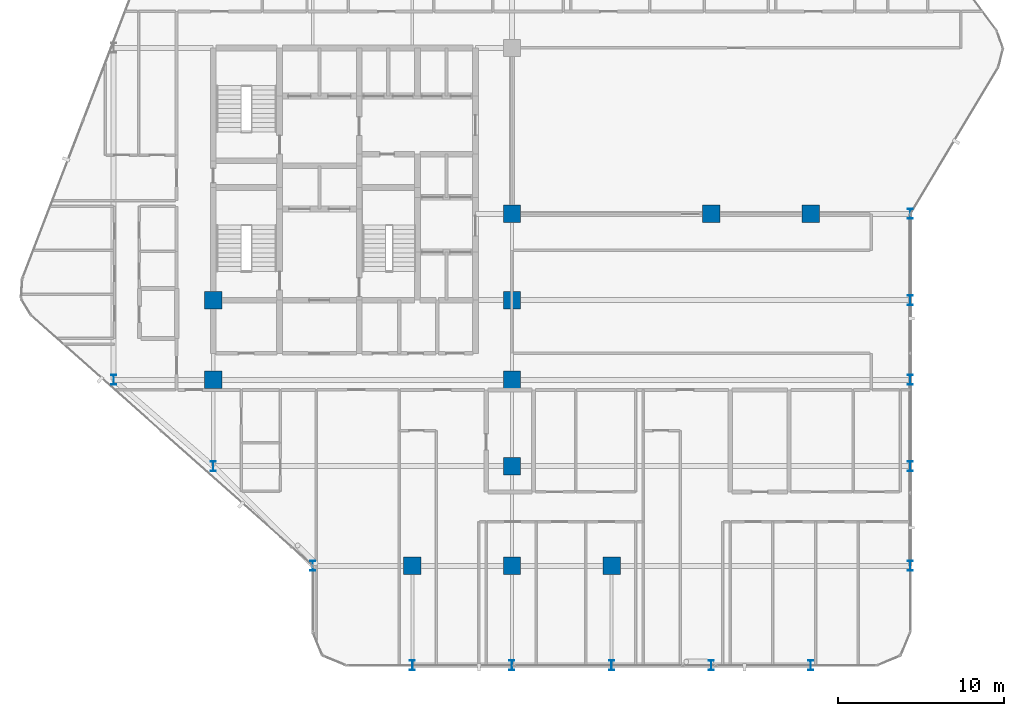
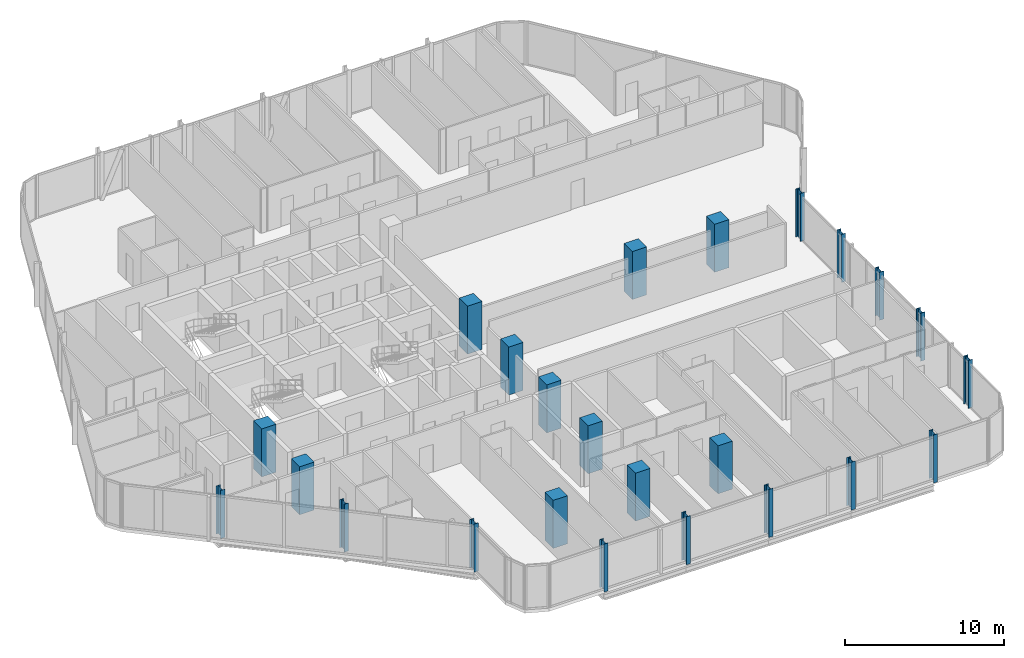
# One storey, part 1 of 30: 24 columns.
"""IFC4 building model written with IfcOpenShell, lengths in metres."""

from ifc_helpers import new_model, si_unit, direction, frame, origin, origin_2d, place, context, subcontext, project, spatial, rectangle, i_section, extrude, material, material_profile, profile_set, type_object, element, save


model = new_model("IFC4")

# Units and contexts
model_context = context("Model", 3, precision=1e-05, world=origin(), true_north=direction((0.0, 1.0)))
body_context = subcontext(model_context, "Body", "Model", "MODEL_VIEW")
ifc_project = project(units=[si_unit("LENGTHUNIT", "METRE"), si_unit("AREAUNIT", "SQUARE_METRE"), si_unit("VOLUMEUNIT", "CUBIC_METRE"), si_unit("PLANEANGLEUNIT", "RADIAN"), si_unit("MASSUNIT", "GRAM", prefix="KILO")], contexts=[model_context])

# Site, building, storey
site_placement = place(None, origin())
site = spatial("IfcSite", under=ifc_project, at=site_placement, CompositionType="ELEMENT")
building_placement = place(site_placement, origin())
building = spatial("IfcBuilding", under=site, at=building_placement, Name="Keshet Zoharim Tower", CompositionType="ELEMENT")
storey_placement = place(building_placement, frame((0.0, 0.0, 109.39990234375)))
storey = spatial("IfcBuildingStorey", under=building, at=storey_placement, Name="L26", CompositionType="ELEMENT", Elevation=109.39990234375)

# Columns
ifc_material_1 = material(Name="Steel S355", Category="steel")
ifc_material_profile_1 = material_profile(ifc_material_1, i_section(OverallWidth=0.300048828125, OverallDepth=0.60009765625, WebThickness=0.015380859375, FlangeThickness=0.030029296875, FilletRadius=0.027099609375, at=origin_2d()), Name="HEB600")
ifc_profile_set_1 = profile_set([ifc_material_profile_1], Name="Steel S355")
column_type_1 = type_object("IfcColumnType", Name="COL-HEB600", PredefinedType="COLUMN", material=ifc_profile_set_1)
for number, where, z_axis, x_axis, name in (
    (1, (9.0, 17.89990234375, 0.0), (0.0, 0.0, 1.0), (1.0, 0.0, 0.0), "L26 Column 2D"),
    (2, (15.0, 12.699951171875, 0.0), (0.0, 0.0, 1.0), (1.0, 0.0, 0.0), "L26 Column 3C"),
    (3, (21.0, 6.699951171875, 0.0), (0.0, 0.0, 1.0), (1.0, 0.0, 0.0), "L26 Column 4B"),
    (4, (27.0, 0.699951171875, 0.0), (0.0, 0.0, 1.0), (1.0, 0.0, 0.0), "L26 Column 5A"),
    (5, (33.0, 0.699951171875, 0.0), (0.0, 0.0, 1.0), (1.0, 0.0, 0.0), "L26 Column 6A"),
    (6, (39.0, 0.699951171875, 0.0), (0.0, 0.0, 1.0), (1.0, 0.0, 0.0), "L26 Column 7A"),
    (7, (45.0, 0.699951171875, 0.0), (0.0, 0.0, 1.0), (1.0, 0.0, 0.0), "L26 Column 8A"),
    (8, (51.0, 0.699951171875, 0.0), (0.0, 0.0, 1.0), (1.0, 0.0, 0.0), "L26 Column 9A"),
    (9, (57.0, 6.699951171875, 0.0), (0.0, 0.0, 1.0), (1.0, 0.0, 0.0), "L26 Column 10B"),
    (10, (57.0, 12.699951171875, 0.0), (0.0, 0.0, 1.0), (1.0, 0.0, 0.0), "L26 Column 10C"),
    (11, (57.0, 17.89990234375, 0.0), (0.0, 0.0, 1.0), (1.0, 0.0, 0.0), "L26 Column 10D"),
    (12, (57.0, 22.699951171875, 0.0), (0.0, 0.0, 1.0), (1.0, 0.0, 0.0), "L26 Column 10E"),
    (13, (57.0, 27.89990234375, 0.0), (0.0, 0.0, 1.0), (1.0, 0.0, 0.0), "L26 Column 10F"),
):
    element("IfcColumn", number, at=place(storey_placement, frame(where, z_axis=z_axis, x_axis=x_axis)), inside=storey, type_object=column_type_1, Name=name, PredefinedType="COLUMN", context=body_context, shape_type="SweptSolid", body=[
        extrude(i_section(OverallWidth=0.300048828125, OverallDepth=0.60009765625, WebThickness=0.015380859375, FlangeThickness=0.030029296875, FilletRadius=0.027099609375, at=origin_2d()), origin(), (0.0, 0.0, 1.0), 3.7001953125),
    ])
ifc_material_2 = material(Name="Concrete C60/75", Category="concrete")
ifc_material_profile_2 = material_profile(ifc_material_2, rectangle(XDim=1.050048828125, YDim=1.050048828125, at=origin_2d()), Name="RC1050x1050")
ifc_profile_set_2 = profile_set([ifc_material_profile_2], Name="Concrete C60/75")
column_type_2 = type_object("IfcColumnType", Name="COL-RC1050", PredefinedType="COLUMN", material=ifc_profile_set_2)
for number, where, z_axis, x_axis, name in (
    (14, (15.0, 17.89990234375, 0.0), (0.0, 0.0, 1.0), (1.0, 0.0, 0.0), "L26 Column 3D"),
    (15, (15.0, 22.699951171875, 0.0), (0.0, 0.0, 1.0), (1.0, 0.0, 0.0), "L26 Column 3E"),
    (16, (27.0, 6.699951171875, 0.0), (0.0, 0.0, 1.0), (1.0, 0.0, 0.0), "L26 Column 5B"),
    (17, (33.0, 6.699951171875, 0.0), (0.0, 0.0, 1.0), (1.0, 0.0, 0.0), "L26 Column 6B"),
    (18, (33.0, 12.699951171875, 0.0), (0.0, 0.0, 1.0), (1.0, 0.0, 0.0), "L26 Column 6C"),
    (19, (33.0, 17.89990234375, 0.0), (0.0, 0.0, 1.0), (1.0, 0.0, 0.0), "L26 Column 6D"),
    (20, (33.0, 22.699951171875, 0.0), (0.0, 0.0, 1.0), (1.0, 0.0, 0.0), "L26 Column 6E"),
    (21, (33.0, 27.89990234375, 0.0), (0.0, 0.0, 1.0), (1.0, 0.0, 0.0), "L26 Column 6F"),
    (22, (39.0, 6.699951171875, 0.0), (0.0, 0.0, 1.0), (1.0, 0.0, 0.0), "L26 Column 7B"),
    (23, (45.0, 27.89990234375, 0.0), (0.0, 0.0, 1.0), (1.0, 0.0, 0.0), "L26 Column 8F"),
    (24, (51.0, 27.89990234375, 0.0), (0.0, 0.0, 1.0), (1.0, 0.0, 0.0), "L26 Column 9F"),
):
    element("IfcColumn", number, at=place(storey_placement, frame(where, z_axis=z_axis, x_axis=x_axis)), inside=storey, type_object=column_type_2, Name=name, PredefinedType="COLUMN", context=body_context, shape_type="SweptSolid", body=[
        extrude(rectangle(XDim=1.050048828125, YDim=1.050048828125, at=origin_2d()), origin(), (0.0, 0.0, 1.0), 3.7001953125),
    ])

save(model, "model.ifc")
